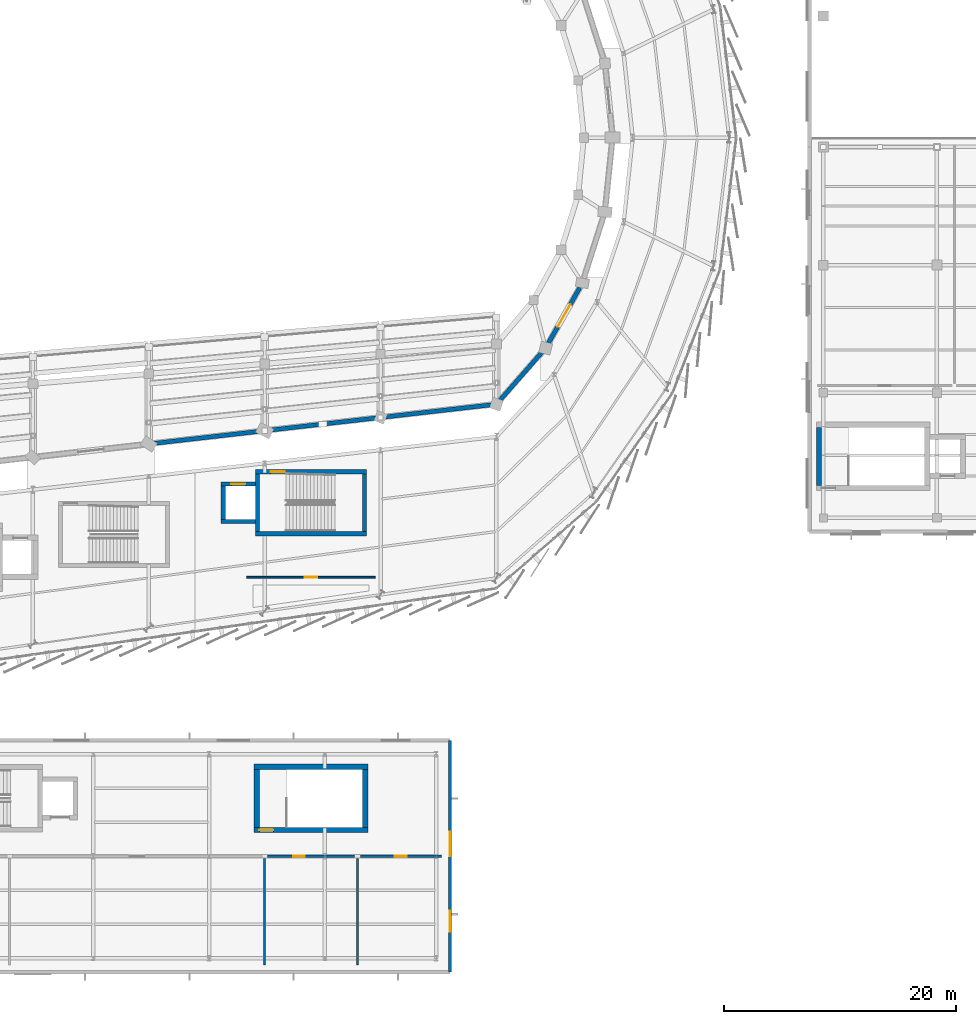
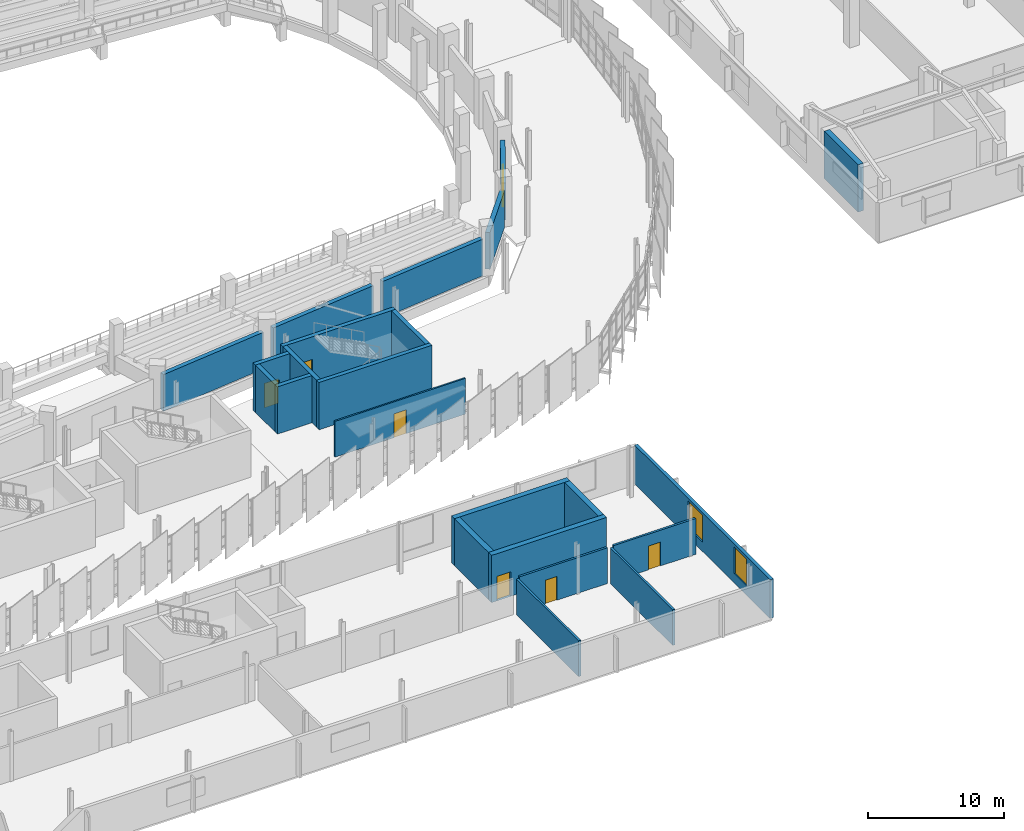
# One storey, part 103 of 120: 23 walls, 7 doors, 2 windows, 9 openings.
"""IFC4 building model written with IfcOpenShell, lengths in metres."""

import ifcopenshell
import ifcopenshell.guid

model = None  # the IFC model being written
_history = None  # IfcOwnerHistory: only IFC2X3 demands one
_inside = {}  # id of a spatial element -> (the spatial element, [elements in it])
_under = {}  # id of a project, library or spatial element -> (it, [spatial elements below it])
_declared = {}  # id of a project -> (the project, [libraries it declares])
_typed = {}  # id of a type object -> (the type object, [elements of that type])
_made_of = {}  # id of a material, layer set ... -> (it, [elements and type objects made of it])


def new_model(schema):
    """Start an empty IFC model of exactly this schema.

    Asked for "IFC4X3", IfcOpenShell would pick the latest addendum, in which some entities
    have other attributes; the version numbers below select the first issue.
    IFC2X3 requires an IfcOwnerHistory on every rooted entity: one is made here for all.
    """
    global model, _history
    if schema == "IFC4X3":
        model = ifcopenshell.file(schema_version=(4, 3, 0, 0))
    else:
        model = ifcopenshell.file(schema=schema)
    _inside.clear()
    _under.clear()
    _declared.clear()
    _typed.clear()
    _made_of.clear()
    _history = None
    if model.schema == "IFC2X3":
        org = make("IfcOrganization", Name="unknown")
        user = make(
            "IfcPersonAndOrganization",
            ThePerson=make("IfcPerson", FamilyName="unknown"),
            TheOrganization=org,
        )
        app = make(
            "IfcApplication",
            ApplicationDeveloper=org,
            Version="unknown",
            ApplicationFullName="unknown",
            ApplicationIdentifier="unknown",
        )
        _history = make(
            "IfcOwnerHistory",
            OwningUser=user,
            OwningApplication=app,
            ChangeAction="ADDED",
            CreationDate=0,
        )
    return model


def make(cls, **values):
    """One entity of the class cls with the attributes given. An attribute that is None is left unset."""
    return model.create_entity(
        cls, **{name: value for name, value in values.items() if value is not None}
    )


def rooted(cls, **values):
    """An entity with a GlobalId (a new one), such as an element, a storey or a relation."""
    return make(cls, GlobalId=ifcopenshell.guid.new(), OwnerHistory=_history, **values)


def si_unit(unit_type, name, prefix=None):
    """IfcSIUnit, for example si_unit("LENGTHUNIT", "METRE", prefix="MILLI")."""
    return make("IfcSIUnit", UnitType=unit_type, Prefix=prefix, Name=name)


def assignment(units):
    """IfcUnitAssignment: the units of a project."""
    return None if units is None else make("IfcUnitAssignment", Units=units)


def point(xyz):
    """IfcCartesianPoint."""
    return None if xyz is None else make("IfcCartesianPoint", Coordinates=xyz)


def direction(xyz):
    """IfcDirection."""
    return None if xyz is None else make("IfcDirection", DirectionRatios=xyz)


def frame(location, z_axis=None, x_axis=None):
    """IfcAxis2Placement3D, a coordinate frame: its origin and axes. An axis left out is left unset."""
    return make(
        "IfcAxis2Placement3D",
        Location=point(location),
        Axis=direction(z_axis),
        RefDirection=direction(x_axis),
    )


def frame_2d(location, x_axis=None):
    """IfcAxis2Placement2D, a coordinate frame in the plane: its origin and x axis."""
    return make(
        "IfcAxis2Placement2D", Location=point(location), RefDirection=direction(x_axis)
    )


def origin():
    """The frame at (0, 0, 0) with its axes left unset."""
    return frame((0.0, 0.0, 0.0))


def place(relative_to, where):
    """IfcLocalPlacement: puts the frame where relative to a parent placement (None: the world)."""
    return make(
        "IfcLocalPlacement", PlacementRelTo=relative_to, RelativePlacement=where
    )


def context(
    kind, dimensions, precision=None, world=None, true_north=None, identifier=None
):
    """IfcGeometricRepresentationContext, for example the 3D "Model" context."""
    return make(
        "IfcGeometricRepresentationContext",
        ContextIdentifier=identifier,
        ContextType=kind,
        CoordinateSpaceDimension=dimensions,
        Precision=precision,
        WorldCoordinateSystem=world,
        TrueNorth=true_north,
    )


def subcontext(parent, identifier, kind, view, scale=None):
    """IfcGeometricRepresentationSubContext, for example "Body" below "Model"."""
    return make(
        "IfcGeometricRepresentationSubContext",
        ContextIdentifier=identifier,
        ContextType=kind,
        ParentContext=parent,
        TargetScale=scale,
        TargetView=view,
    )


def project(units=None, contexts=None):
    """IfcProject with its units and contexts."""
    return rooted(
        "IfcProject",
        Name="project",
        RepresentationContexts=contexts,
        UnitsInContext=assignment(units),
    )


def spatial(cls, under=None, at=None, **own):
    """A site, building, storey or space (cls), placed at a placement, below another one or the project."""
    s = rooted(cls, ObjectPlacement=at, **own)
    if under is not None:
        _under.setdefault(under.id(), (under, []))[1].append(s)
    return s


def profile(cls, at=None, kind="AREA", **sizes):
    """A parametric profile (cls). Its sizes go by their IFC names, for example OverallWidth=200.0."""
    return make(cls, ProfileType=kind, Position=at, **sizes)


def rectangle(**sizes):
    """IfcRectangleProfileDef."""
    return profile("IfcRectangleProfileDef", **sizes)


def extrude(swept, where, along, depth):
    """IfcExtrudedAreaSolid: the profile swept, set in the frame where, extruded along a direction by depth."""
    return make(
        "IfcExtrudedAreaSolid",
        SweptArea=swept,
        Position=where,
        ExtrudedDirection=direction(along),
        Depth=depth,
    )


def shape(context_of_items, identifier, shape_type, items):
    """IfcShapeRepresentation: the items that make up one representation, for example the "Body"."""
    return make(
        "IfcShapeRepresentation",
        ContextOfItems=context_of_items,
        RepresentationIdentifier=identifier,
        RepresentationType=shape_type,
        Items=items,
    )


def material(Name=None, Category=None):
    """IfcMaterial."""
    return make("IfcMaterial", Name=Name, Category=Category)


def layer(
    of_material, thickness, ventilated=None, Name=None, Category=None, Priority=None
):
    """IfcMaterialLayer: one layer of a wall or slab, of a material (None: an air gap)."""
    return make(
        "IfcMaterialLayer",
        Material=of_material,
        LayerThickness=thickness,
        IsVentilated=ventilated,
        Name=Name,
        Category=Category,
        Priority=Priority,
    )


def layer_set(layers, Name=None):
    """IfcMaterialLayerSet."""
    return make("IfcMaterialLayerSet", MaterialLayers=layers, LayerSetName=Name)


def made_of(thing, what):
    """Note that an element or type object is made of a material, layer set ...; save() writes the relation."""
    if what is not None:
        _made_of.setdefault(what.id(), (what, []))[1].append(thing)
    return thing


def type_object(cls, material=None, **own):
    """A type object (cls), such as IfcWallType, which elements share."""
    return made_of(rooted(cls, **own), material)


def element(
    cls,
    number,
    at=None,
    inside=None,
    cuts=None,
    type_object=None,
    material=None,
    context=None,
    identifier="Body",
    shape_type=None,
    held_by="IfcProductDefinitionShape",
    body=None,
    shapes=None,
    **own,
):
    """One element of the class cls, such as IfcWall. Its Tag is "e" and its number.

    at: its placement. inside: the storey or other place that contains it. cuts: it is an
    opening in that element (IfcRelVoidsElement). A single representation is given by context,
    identifier, shape_type and body (its items); several are given by shapes. held_by: the class
    of the entity that holds the representations. save() writes the other relations.
    """
    e = rooted(cls, Tag="e%d" % number, ObjectPlacement=at, **own)
    if body is not None:
        shapes = [shape(context, identifier, shape_type, body)]
    if shapes is not None:
        e.Representation = make(held_by, Representations=shapes)
    if inside is not None:
        _inside.setdefault(inside.id(), (inside, []))[1].append(e)
    if cuts is not None:
        rooted(
            "IfcRelVoidsElement", RelatingBuildingElement=cuts, RelatedOpeningElement=e
        )
    if type_object is not None:
        _typed.setdefault(type_object.id(), (type_object, []))[1].append(e)
    return made_of(e, material)


def fill(opening, filler):
    """IfcRelFillsElement: the door or window that sits in an opening."""
    return rooted(
        "IfcRelFillsElement",
        RelatingOpeningElement=opening,
        RelatedBuildingElement=filler,
    )


def aggregate(whole, parts):
    """IfcRelAggregates: a whole, such as a stair, and the parts it consists of."""
    return rooted("IfcRelAggregates", RelatingObject=whole, RelatedObjects=parts)


def save(model, path):
    """Write the relations noted so far, then the file.

    IfcRelAggregates (storeys below a building ...), IfcRelContainedInSpatialStructure (elements
    in a storey), IfcRelDefinesByType, IfcRelAssociatesMaterial and IfcRelDeclares: one each for
    every whole, place, type object, material and project.
    """
    for whole, parts in _under.values():
        aggregate(whole, parts)
    for where, things in _inside.values():
        rooted(
            "IfcRelContainedInSpatialStructure",
            RelatedElements=things,
            RelatingStructure=where,
        )
    for kind, things in _typed.values():
        rooted("IfcRelDefinesByType", RelatedObjects=things, RelatingType=kind)
    for what, things in _made_of.values():
        rooted("IfcRelAssociatesMaterial", RelatedObjects=things, RelatingMaterial=what)
    for by, libraries in _declared.values():
        rooted("IfcRelDeclares", RelatingContext=by, RelatedDefinitions=libraries)
    model.write(path)


model = new_model("IFC4")

# Units and contexts
model_context = context("Model", 3, precision=1e-05, world=origin(), true_north=direction((0.0, 1.0)))
body_context = subcontext(model_context, "Body", "Model", "MODEL_VIEW")
ifc_project = project(units=[si_unit("LENGTHUNIT", "METRE"), si_unit("AREAUNIT", "SQUARE_METRE"), si_unit("VOLUMEUNIT", "CUBIC_METRE"), si_unit("PLANEANGLEUNIT", "RADIAN"), si_unit("MASSUNIT", "GRAM", prefix="KILO")], contexts=[model_context])

# Site, building, storey
site_placement = place(None, origin())
site = spatial("IfcSite", under=ifc_project, at=site_placement, CompositionType="ELEMENT")
building_placement = place(site_placement, origin())
building = spatial("IfcBuilding", under=site, at=building_placement, Name="Sohan Crest Arena", CompositionType="ELEMENT")
storey_placement = place(building_placement, frame((0.0, 0.0, 13.5)))
storey = spatial("IfcBuildingStorey", under=building, at=storey_placement, Name="L03", CompositionType="ELEMENT", Elevation=13.5)

# Wall, openings, windows
ifc_material_1 = material(Name="Clinker brick and ceramic mosaic envelope wall", Category="masonry")
ifc_layer_1 = layer(ifc_material_1, 0.280029296875, Name="Clinker brick and ceramic mosaic envelope wall")
ifc_layer_set_1 = layer_set([ifc_layer_1], Name="Clinker brick and ceramic mosaic envelope wall")
wall_type_1 = type_object("IfcWallType", Name="WAL-EW02", PredefinedType="SOLIDWALL", material=ifc_layer_set_1)
wall_1_placement = place(storey_placement, frame((164.0, 6.0, 0.0), z_axis=(0.0, 0.0, 1.0), x_axis=(0.0, 1.0, 0.0)))
wall_1 = element("IfcWall", 1, at=wall_1_placement, inside=storey, type_object=wall_type_1, Name="External wall EW-139", PredefinedType="SOLIDWALL", context=body_context, shape_type="SweptSolid", body=[
    extrude(rectangle(XDim=20.0, YDim=0.280029296875, at=frame_2d((10.0, 0.0))), origin(), (0.0, 0.0, 1.0), 3.5),
])
opening_1_placement = place(wall_1_placement, frame((3.5, 0.0, 0.85009765625)))
opening_1 = element("IfcOpeningElement", 2, at=opening_1_placement, cuts=wall_1, Name="Opening W-065", PredefinedType="OPENING", context=body_context, shape_type="SweptSolid", body=[
    extrude(rectangle(XDim=1.800048828125, YDim=2.39990234375, at=frame_2d((0.89990234375, 1.199951171875))), frame((0.0, 0.14990234375, 0.0), z_axis=(0.0, -1.0, 0.0), x_axis=(1.0, 0.0, 0.0)), (0.0, 0.0, 1.0), 0.300048828125),
])
opening_2_placement = place(wall_1_placement, frame((10.0, 0.0, 0.85009765625)))
opening_2 = element("IfcOpeningElement", 3, at=opening_2_placement, cuts=wall_1, Name="Opening W-066", PredefinedType="OPENING", context=body_context, shape_type="SweptSolid", body=[
    extrude(rectangle(XDim=2.10009765625, YDim=2.39990234375, at=frame_2d((1.050048828125, 1.199951171875))), frame((0.0, 0.14990234375, 0.0), z_axis=(0.0, -1.0, 0.0), x_axis=(1.0, 0.0, 0.0)), (0.0, 0.0, 1.0), 0.300048828125),
])
ifc_material_2 = material(Name="Low-E double-glazed insulated glass", Category="glass")
window_type_1 = type_object("IfcWindowType", Name="WIN-W01", PartitioningType="SINGLE_PANEL", PredefinedType="WINDOW", material=ifc_material_2)
window_1_placement = place(opening_1_placement, origin())
window_1 = element("IfcWindow", 4, at=window_1_placement, inside=storey, type_object=window_type_1, Name="Catalan arched wing window W-065", OverallHeight=2.39990234375, OverallWidth=1.800048828125, PartitioningType="SINGLE_PANEL", PredefinedType="WINDOW", context=body_context, shape_type="SweptSolid", body=[
    extrude(rectangle(XDim=1.800048828125, YDim=2.39990234375, at=frame_2d((0.89990234375, 1.199951171875))), frame((0.0, 0.030029296875, 0.0), z_axis=(0.0, -1.0, 0.0), x_axis=(1.0, 0.0, 0.0)), (0.0, 0.0, 1.0), 0.06005859375),
])
fill(opening_1, window_1)
window_type_2 = type_object("IfcWindowType", Name="WIN-W02", PartitioningType="SINGLE_PANEL", PredefinedType="WINDOW", material=ifc_material_2)
window_2_placement = place(opening_2_placement, origin())
window_2 = element("IfcWindow", 5, at=window_2_placement, inside=storey, type_object=window_type_2, Name="Catalan arched wing window W-066", OverallHeight=2.39990234375, OverallWidth=2.10009765625, PartitioningType="SINGLE_PANEL", PredefinedType="WINDOW", context=body_context, shape_type="SweptSolid", body=[
    extrude(rectangle(XDim=2.10009765625, YDim=2.39990234375, at=frame_2d((1.050048828125, 1.199951171875))), frame((0.0, 0.030029296875, 0.0), z_axis=(0.0, -1.0, 0.0), x_axis=(1.0, 0.0, 0.0)), (0.0, 0.0, 1.0), 0.06005859375),
])
fill(opening_2, window_2)

# Walls
ifc_material_3 = material(Name="Acoustic insulated bowl drum enclosure wall", Category="masonry")
ifc_layer_2 = layer(ifc_material_3, 0.3701171875, Name="Acoustic insulated bowl drum enclosure wall")
ifc_layer_set_2 = layer_set([ifc_layer_2], Name="Acoustic insulated bowl drum enclosure wall")
wall_type_2 = type_object("IfcWallType", Name="WAL-EW05", PredefinedType="SOLIDWALL", material=ifc_layer_set_2)
for number, where, z_axis, x_axis, name in (
    (6, (138.43701171875, 51.62109375, 0.0), (0.0, 0.0, 1.0), (0.993532672656, 0.113546591161, 0.0), "Acoustic bowl drum wall BW-L03-17"),
    (7, (148.43701171875, 52.763916015625, 0.0), (0.0, 0.0, 1.0), (0.993532672656, 0.113546591161, 0.0), "Acoustic bowl drum wall BW-L03-18"),
    (8, (158.43701171875, 53.906982421875, 0.0), (0.0, 0.0, 1.0), (0.993532672656, 0.113546591161, 0.0), "Acoustic bowl drum wall BW-L03-19"),
):
    element("IfcWall", number, at=place(storey_placement, frame(where, z_axis=z_axis, x_axis=x_axis)), inside=storey, type_object=wall_type_2, Name=name, PredefinedType="SOLIDWALL", context=body_context, shape_type="SweptSolid", body=[
        extrude(rectangle(XDim=9.185302734375, YDim=0.3701171875, at=frame_2d((4.5927734375, 0.0))), origin(), (0.0, 0.0, 1.0), 3.300048828125),
    ])
wall_2_placement = place(storey_placement, frame((168.2900390625, 55.3310546875, 0.0), z_axis=(0.0, 0.0, 1.0), x_axis=(0.658706624818, 0.752399881991, 0.0)))
element("IfcWall", 9, at=wall_2_placement, inside=storey, type_object=wall_type_2, Name="Acoustic bowl drum wall BW-L03-20", PredefinedType="SOLIDWALL", context=body_context, shape_type="SweptSolid", body=[
    extrude(rectangle(XDim=5.560546875, YDim=0.3701171875, at=frame_2d((2.7802734375, 0.0))), origin(), (0.0, 0.0, 1.0), 3.300048828125),
])

# Wall, opening, door
wall_3_placement = place(storey_placement, frame((172.458984375, 60.22900390625, 0.0), z_axis=(0.0, 0.0, 1.0), x_axis=(0.491617455844, 0.870811275254, 0.0)))
wall_3 = element("IfcWall", 10, at=wall_3_placement, inside=storey, type_object=wall_type_2, Name="Acoustic bowl drum wall BW-L03-21", PredefinedType="SOLIDWALL", context=body_context, shape_type="SweptSolid", body=[
    extrude(rectangle(XDim=5.5615234375, YDim=0.3701171875, at=frame_2d((2.78076171875, 0.0))), origin(), (0.0, 0.0, 1.0), 3.300048828125),
])
opening_3_placement = place(wall_3_placement, frame((1.680908203125, 0.0, 0.0)))
opening_3 = element("IfcOpeningElement", 11, at=opening_3_placement, cuts=wall_3, Name="Opening VD-L03-21", PredefinedType="OPENING", context=body_context, shape_type="SweptSolid", body=[
    extrude(rectangle(XDim=2.199951171875, YDim=2.300048828125, at=frame_2d((1.10009765625, 1.14990234375))), frame((0.0, 0.195068359375, 0.0), z_axis=(0.0, -1.0, 0.0), x_axis=(1.0, 0.0, 0.0)), (0.0, 0.0, 1.0), 0.39013671875),
])
ifc_material_4 = material(Name="Fire-rated steel double escape door", Category="steel")
door_type_1 = type_object("IfcDoorType", Name="DR-FD01", OperationType="DOUBLE_DOOR_SINGLE_SWING", PredefinedType="DOOR", material=ifc_material_4)
door_1_placement = place(opening_3_placement, origin())
door_1 = element("IfcDoor", 12, at=door_1_placement, inside=storey, type_object=door_type_1, Name="Bowl vomitory portal fire door VD-L03-21", OperationType="DOUBLE_DOOR_SINGLE_SWING", OverallHeight=2.300048828125, OverallWidth=2.199951171875, PredefinedType="DOOR", context=body_context, shape_type="SweptSolid", body=[
    extrude(rectangle(XDim=2.199951171875, YDim=2.300048828125, at=frame_2d((1.10009765625, 1.14990234375))), frame((0.0, 0.02490234375, 0.0), z_axis=(0.0, -1.0, 0.0), x_axis=(1.0, 0.0, 0.0)), (0.0, 0.0, 1.0), 0.050048828125),
])
fill(opening_3, door_1)

ifc_material_5 = material(Name="Suite acoustic stud partition", Category="masonry")
ifc_layer_3 = layer(ifc_material_5, 0.135009765625, Name="Suite acoustic stud partition")
ifc_layer_set_3 = layer_set([ifc_layer_3], Name="Suite acoustic stud partition")
wall_type_3 = type_object("IfcWallType", Name="WAL-PW02", PredefinedType="PARTITIONING", material=ifc_layer_set_3)
wall_4_placement = place(storey_placement, frame((146.449951171875, 40.074951171875, 0.0), z_axis=(0.0, 0.0, 1.0), x_axis=(1.0, 0.0, 0.0)))
wall_4 = element("IfcWall", 13, at=wall_4_placement, inside=storey, type_object=wall_type_3, Name="Interior partition wall PW-0884", PredefinedType="PARTITIONING", context=body_context, shape_type="SweptSolid", body=[
    extrude(rectangle(XDim=11.10009765625, YDim=0.135009765625, at=frame_2d((5.550048828125, 0.0))), origin(), (0.0, 0.0, 1.0), 3.219970703125),
])
opening_4_placement = place(wall_4_placement, frame((5.02490234375, 0.0, 0.0)))
opening_4 = element("IfcOpeningElement", 14, at=opening_4_placement, cuts=wall_4, Name="Opening RM-0258", PredefinedType="OPENING", context=body_context, shape_type="SweptSolid", body=[
    extrude(rectangle(XDim=1.050048828125, YDim=2.14990234375, at=frame_2d((0.52490234375, 1.074951171875))), frame((0.0, 0.077392578125, 0.0), z_axis=(0.0, -1.0, 0.0), x_axis=(1.0, 0.0, 0.0)), (0.0, 0.0, 1.0), 0.155029296875),
])
ifc_material_6 = material(Name="Fire-rated acoustic suite entrance door", Category="wood")
door_type_2 = type_object("IfcDoorType", Name="DR-FD05", OperationType="NOTDEFINED", PredefinedType="DOOR", material=ifc_material_6)
door_2_placement = place(opening_4_placement, origin())
door_2 = element("IfcDoor", 15, at=door_2_placement, inside=storey, type_object=door_type_2, Name="Hospitality Suite door RM-0258", OperationType="SINGLE_SWING_RIGHT", OverallHeight=2.14990234375, OverallWidth=1.050048828125, PredefinedType="DOOR", context=body_context, shape_type="SweptSolid", body=[
    extrude(rectangle(XDim=1.050048828125, YDim=2.14990234375, at=frame_2d((0.52490234375, 1.074951171875))), frame((0.0, 0.02490234375, 0.0), z_axis=(0.0, -1.0, 0.0), x_axis=(1.0, 0.0, 0.0)), (0.0, 0.0, 1.0), 0.050048828125),
])
fill(opening_4, door_2)

# Wall
ifc_material_7 = material(Name="Back-of-house masonry room partition", Category="masonry")
ifc_layer_4 = layer(ifc_material_7, 0.179931640625, Name="Back-of-house masonry room partition")
ifc_layer_set_4 = layer_set([ifc_layer_4], Name="Back-of-house masonry room partition")
wall_type_4 = type_object("IfcWallType", Name="WAL-PW05", PredefinedType="PARTITIONING", material=ifc_layer_set_4)
wall_5_placement = place(storey_placement, frame((148.0, 6.60009765625, 0.0), z_axis=(0.0, 0.0, 1.0), x_axis=(0.0, 1.0, 0.0)))
element("IfcWall", 16, at=wall_5_placement, inside=storey, type_object=wall_type_4, Name="Interior partition wall PW-0935", PredefinedType="PARTITIONING", context=body_context, shape_type="SweptSolid", body=[
    extrude(rectangle(XDim=9.199951171875, YDim=0.179931640625, at=frame_2d((4.60009765625, 0.0))), origin(), (0.0, 0.0, 1.0), 3.219970703125),
])

# Wall, opening, door
wall_6_placement = place(storey_placement, frame((148.25, 16.0, 0.0), z_axis=(0.0, 0.0, 1.0), x_axis=(1.0, 0.0, 0.0)))
wall_6 = element("IfcWall", 17, at=wall_6_placement, inside=storey, type_object=wall_type_4, Name="Interior partition wall PW-0936", PredefinedType="PARTITIONING", context=body_context, shape_type="SweptSolid", body=[
    extrude(rectangle(XDim=7.5, YDim=0.179931640625, at=frame_2d((3.75, 0.0))), origin(), (0.0, 0.0, 1.0), 3.219970703125),
])
opening_5_placement = place(wall_6_placement, frame((2.2099609375, 0.0, 0.0)))
opening_5 = element("IfcOpeningElement", 18, at=opening_5_placement, cuts=wall_6, Name="Opening V5D-0286", PredefinedType="OPENING", context=body_context, shape_type="SweptSolid", body=[
    extrude(rectangle(XDim=0.97998046875, YDim=2.14990234375, at=frame_2d((0.489990234375, 1.074951171875))), frame((0.0, 0.099853515625, 0.0), z_axis=(0.0, -1.0, 0.0), x_axis=(1.0, 0.0, 0.0)), (0.0, 0.0, 1.0), 0.199951171875),
])
ifc_material_8 = material(Name="Fire-rated plant and store room door", Category="wood")
door_type_3 = type_object("IfcDoorType", Name="DR-FD06", OperationType="NOTDEFINED", PredefinedType="DOOR", material=ifc_material_8)
door_3_placement = place(opening_5_placement, origin())
door_3 = element("IfcDoor", 19, at=door_3_placement, inside=storey, type_object=door_type_3, Name="Concessions Dry Store door V5D-0286", OperationType="SINGLE_SWING_LEFT", OverallHeight=2.14990234375, OverallWidth=0.97998046875, PredefinedType="DOOR", context=body_context, shape_type="SweptSolid", body=[
    extrude(rectangle(XDim=0.97998046875, YDim=2.14990234375, at=frame_2d((0.489990234375, 1.074951171875))), frame((0.0, 0.02490234375, 0.0), z_axis=(0.0, -1.0, 0.0), x_axis=(1.0, 0.0, 0.0)), (0.0, 0.0, 1.0), 0.050048828125),
])
fill(opening_5, door_3)

# Wall
wall_7_placement = place(storey_placement, frame((156.0, 6.60009765625, 0.0), z_axis=(0.0, 0.0, 1.0), x_axis=(0.0, 1.0, 0.0)))
element("IfcWall", 20, at=wall_7_placement, inside=storey, type_object=wall_type_4, Name="Interior partition wall PW-0937", PredefinedType="PARTITIONING", context=body_context, shape_type="SweptSolid", body=[
    extrude(rectangle(XDim=9.199951171875, YDim=0.179931640625, at=frame_2d((4.60009765625, 0.0))), origin(), (0.0, 0.0, 1.0), 3.219970703125),
])

# Wall, opening, door
wall_8_placement = place(storey_placement, frame((156.25, 16.0, 0.0), z_axis=(0.0, 0.0, 1.0), x_axis=(1.0, 0.0, 0.0)))
wall_8 = element("IfcWall", 21, at=wall_8_placement, inside=storey, type_object=wall_type_4, Name="Interior partition wall PW-0938", PredefinedType="PARTITIONING", context=body_context, shape_type="SweptSolid", body=[
    extrude(rectangle(XDim=7.0, YDim=0.179931640625, at=frame_2d((3.5, 0.0))), origin(), (0.0, 0.0, 1.0), 3.219970703125),
])
opening_6_placement = place(wall_8_placement, frame((2.989990234375, 0.0, 0.0)))
opening_6 = element("IfcOpeningElement", 22, at=opening_6_placement, cuts=wall_8, Name="Opening V5D-0287", PredefinedType="OPENING", context=body_context, shape_type="SweptSolid", body=[
    extrude(rectangle(XDim=1.02001953125, YDim=2.14990234375, at=frame_2d((0.510009765625, 1.074951171875))), frame((0.0, 0.099853515625, 0.0), z_axis=(0.0, -1.0, 0.0), x_axis=(1.0, 0.0, 0.0)), (0.0, 0.0, 1.0), 0.199951171875),
])
ifc_material_9 = material(Name="Accessible toilet and dressing room door", Category="wood")
door_type_4 = type_object("IfcDoorType", Name="DR-ID03", OperationType="NOTDEFINED", PredefinedType="DOOR", material=ifc_material_9)
door_4_placement = place(opening_6_placement, origin())
door_4 = element("IfcDoor", 23, at=door_4_placement, inside=storey, type_object=door_type_4, Name="Staff Accessible WC L03 door V5D-0287", OperationType="SINGLE_SWING_RIGHT", OverallHeight=2.14990234375, OverallWidth=1.02001953125, PredefinedType="DOOR", context=body_context, shape_type="SweptSolid", body=[
    extrude(rectangle(XDim=1.02001953125, YDim=2.14990234375, at=frame_2d((0.510009765625, 1.074951171875))), frame((0.0, 0.02490234375, 0.0), z_axis=(0.0, -1.0, 0.0), x_axis=(1.0, 0.0, 0.0)), (0.0, 0.0, 1.0), 0.050048828125),
])
fill(opening_6, door_4)

# Walls
ifc_material_10 = material(Name="Concrete C40/50", Category="concrete")
ifc_layer_5 = layer(ifc_material_10, 0.35009765625, Name="Concrete C40/50")
ifc_layer_set_5 = layer_set([ifc_layer_5], Name="Concrete C40/50")
wall_type_5 = type_object("IfcWallType", Name="WAL-SW02", PredefinedType="SHEAR", material=ifc_layer_set_5)
for number, where, z_axis, x_axis, name in (
    (24, (147.375, 44.0, 0.0), (0.0, 0.0, 1.0), (0.0, 1.0, 0.0), "Core shear wall SW-0434"),
    (25, (156.625, 44.0, 0.0), (0.0, 0.0, 1.0), (0.0, 1.0, 0.0), "Core shear wall SW-0435"),
):
    element("IfcWall", number, at=place(storey_placement, frame(where, z_axis=z_axis, x_axis=x_axis)), inside=storey, type_object=wall_type_5, Name=name, PredefinedType="SHEAR", context=body_context, shape_type="SweptSolid", body=[
        extrude(rectangle(XDim=5.0, YDim=0.35009765625, at=frame_2d((2.5, 0.0))), origin(), (0.0, 0.0, 1.0), 4.25),
    ])
wall_9_placement = place(storey_placement, frame((147.199951171875, 43.824951171875, 0.0), z_axis=(0.0, 0.0, 1.0), x_axis=(1.0, 0.0, 0.0)))
element("IfcWall", 26, at=wall_9_placement, inside=storey, type_object=wall_type_5, Name="Core shear wall SW-0436", PredefinedType="SHEAR", context=body_context, shape_type="SweptSolid", body=[
    extrude(rectangle(XDim=9.60009765625, YDim=0.35009765625, at=frame_2d((4.800048828125, 0.0))), origin(), (0.0, 0.0, 1.0), 4.25),
])

# Wall, opening, door
wall_10_placement = place(storey_placement, frame((147.199951171875, 49.175048828125, 0.0), z_axis=(0.0, 0.0, 1.0), x_axis=(1.0, 0.0, 0.0)))
wall_10 = element("IfcWall", 27, at=wall_10_placement, inside=storey, type_object=wall_type_5, Name="Core shear wall SW-0437", PredefinedType="SHEAR", context=body_context, shape_type="SweptSolid", body=[
    extrude(rectangle(XDim=9.60009765625, YDim=0.35009765625, at=frame_2d((4.800048828125, 0.0))), origin(), (0.0, 0.0, 1.0), 4.25),
])
opening_7_placement = place(wall_10_placement, frame((1.320068359375, 0.0, 0.0)))
opening_7 = element("IfcOpeningElement", 28, at=opening_7_placement, cuts=wall_10, Name="Opening SD-0121", PredefinedType="OPENING", context=body_context, shape_type="SweptSolid", body=[
    extrude(rectangle(XDim=1.199951171875, YDim=2.199951171875, at=frame_2d((0.60009765625, 1.10009765625))), frame((0.0, 0.18505859375, 0.0), z_axis=(0.0, -1.0, 0.0), x_axis=(1.0, 0.0, 0.0)), (0.0, 0.0, 1.0), 0.3701171875),
])
ifc_material_11 = material(Name="Fire-rated steel stair and lobby door", Category="steel")
door_type_5 = type_object("IfcDoorType", Name="DR-FD04", OperationType="NOTDEFINED", PredefinedType="DOOR", material=ifc_material_11)
door_5_placement = place(opening_7_placement, origin())
door_5 = element("IfcDoor", 29, at=door_5_placement, inside=storey, type_object=door_type_5, Name="Protected stair door SD-0121", OperationType="SINGLE_SWING_RIGHT", OverallHeight=2.199951171875, OverallWidth=1.199951171875, PredefinedType="DOOR", context=body_context, shape_type="SweptSolid", body=[
    extrude(rectangle(XDim=1.199951171875, YDim=2.199951171875, at=frame_2d((0.60009765625, 1.10009765625))), frame((0.0, 0.02490234375, 0.0), z_axis=(0.0, -1.0, 0.0), x_axis=(1.0, 0.0, 0.0)), (0.0, 0.0, 1.0), 0.050048828125),
])
fill(opening_7, door_5)

# Walls
wall_11_placement = place(storey_placement, frame((144.425048828125, 45.050048828125, 0.0), z_axis=(0.0, 0.0, 1.0), x_axis=(0.0, 1.0, 0.0)))
element("IfcWall", 30, at=wall_11_placement, inside=storey, type_object=wall_type_5, Name="Core shear wall SW-0438", PredefinedType="SHEAR", context=body_context, shape_type="SweptSolid", body=[
    extrude(rectangle(XDim=2.89990234375, YDim=0.35009765625, at=frame_2d((1.449951171875, 0.0))), origin(), (0.0, 0.0, 1.0), 4.25),
])
wall_12_placement = place(storey_placement, frame((144.25, 44.875, 0.0), z_axis=(0.0, 0.0, 1.0), x_axis=(1.0, 0.0, 0.0)))
element("IfcWall", 31, at=wall_12_placement, inside=storey, type_object=wall_type_5, Name="Core shear wall SW-0439", PredefinedType="SHEAR", context=body_context, shape_type="SweptSolid", body=[
    extrude(rectangle(XDim=2.949951171875, YDim=0.35009765625, at=frame_2d((1.47509765625, 0.0))), origin(), (0.0, 0.0, 1.0), 4.25),
])

# Wall, opening, door
wall_13_placement = place(storey_placement, frame((144.25, 48.125, 0.0), z_axis=(0.0, 0.0, 1.0), x_axis=(1.0, 0.0, 0.0)))
wall_13 = element("IfcWall", 32, at=wall_13_placement, inside=storey, type_object=wall_type_5, Name="Core shear wall SW-0440", PredefinedType="SHEAR", context=body_context, shape_type="SweptSolid", body=[
    extrude(rectangle(XDim=2.949951171875, YDim=0.35009765625, at=frame_2d((1.47509765625, 0.0))), origin(), (0.0, 0.0, 1.0), 4.25),
])
opening_8_placement = place(wall_13_placement, frame((0.875, 0.0, 0.0)))
opening_8 = element("IfcOpeningElement", 33, at=opening_8_placement, cuts=wall_13, Name="Opening LD-LP07-L03", PredefinedType="OPENING", context=body_context, shape_type="SweptSolid", body=[
    extrude(rectangle(XDim=1.199951171875, YDim=2.199951171875, at=frame_2d((0.60009765625, 1.10009765625))), frame((0.0, 0.18505859375, 0.0), z_axis=(0.0, -1.0, 0.0), x_axis=(1.0, 0.0, 0.0)), (0.0, 0.0, 1.0), 0.3701171875),
])
ifc_material_12 = material(Name="Stainless steel passenger lift landing door", Category="steel")
door_type_6 = type_object("IfcDoorType", Name="DR-LD02", OperationType="SLIDING_TO_LEFT", PredefinedType="DOOR", material=ifc_material_12)
door_6_placement = place(opening_8_placement, origin())
door_6 = element("IfcDoor", 34, at=door_6_placement, inside=storey, type_object=door_type_6, Name="Sliding lift landing door LD-LP07-L03", OperationType="SLIDING_TO_LEFT", OverallHeight=2.199951171875, OverallWidth=1.199951171875, PredefinedType="DOOR", context=body_context, shape_type="SweptSolid", body=[
    extrude(rectangle(XDim=1.199951171875, YDim=2.199951171875, at=frame_2d((0.60009765625, 1.10009765625))), frame((0.0, 0.02490234375, 0.0), z_axis=(0.0, -1.0, 0.0), x_axis=(1.0, 0.0, 0.0)), (0.0, 0.0, 1.0), 0.050048828125),
])
fill(opening_8, door_6)

# Walls
ifc_layer_6 = layer(ifc_material_10, 0.449951171875, Name="Concrete C40/50")
ifc_layer_set_6 = layer_set([ifc_layer_6], Name="Concrete C40/50")
wall_type_6 = type_object("IfcWallType", Name="WAL-SW04", PredefinedType="SHEAR", material=ifc_layer_set_6)
for number, where, z_axis, x_axis, name in (
    (35, (147.324951171875, 18.5, 0.0), (0.0, 0.0, 1.0), (0.0, 1.0, 0.0), "Core shear wall SW-0503"),
    (36, (156.675048828125, 18.5, 0.0), (0.0, 0.0, 1.0), (0.0, 1.0, 0.0), "Core shear wall SW-0504"),
):
    element("IfcWall", number, at=place(storey_placement, frame(where, z_axis=z_axis, x_axis=x_axis)), inside=storey, type_object=wall_type_6, Name=name, PredefinedType="SHEAR", context=body_context, shape_type="SweptSolid", body=[
        extrude(rectangle(XDim=5.0, YDim=0.449951171875, at=frame_2d((2.5, 0.0))), origin(), (0.0, 0.0, 1.0), 4.25),
    ])

# Wall, opening, door
wall_14_placement = place(storey_placement, frame((147.10009765625, 18.27490234375, 0.0), z_axis=(0.0, 0.0, 1.0), x_axis=(1.0, 0.0, 0.0)))
wall_14 = element("IfcWall", 37, at=wall_14_placement, inside=storey, type_object=wall_type_6, Name="Core shear wall SW-0505", PredefinedType="SHEAR", context=body_context, shape_type="SweptSolid", body=[
    extrude(rectangle(XDim=9.7998046875, YDim=0.449951171875, at=frame_2d((4.89990234375, 0.0))), origin(), (0.0, 0.0, 1.0), 4.25),
])
opening_9_placement = place(wall_14_placement, frame((0.449951171875, 0.0, 0.0)))
opening_9 = element("IfcOpeningElement", 38, at=opening_9_placement, cuts=wall_14, Name="Opening SD-0139", PredefinedType="OPENING", context=body_context, shape_type="SweptSolid", body=[
    extrude(rectangle(XDim=1.199951171875, YDim=2.199951171875, at=frame_2d((0.60009765625, 1.10009765625))), frame((0.0, 0.23486328125, 0.0), z_axis=(0.0, -1.0, 0.0), x_axis=(1.0, 0.0, 0.0)), (0.0, 0.0, 1.0), 0.469970703125),
])
door_7_placement = place(opening_9_placement, frame((1.199951171875, 0.0, 0.0), z_axis=(0.0, 0.0, 1.0), x_axis=(-1.0, 0.0, 0.0)))
door_7 = element("IfcDoor", 39, at=door_7_placement, inside=storey, type_object=door_type_5, Name="Protected stair door SD-0139", OperationType="SINGLE_SWING_LEFT", OverallHeight=2.199951171875, OverallWidth=1.199951171875, PredefinedType="DOOR", context=body_context, shape_type="SweptSolid", body=[
    extrude(rectangle(XDim=1.199951171875, YDim=2.199951171875, at=frame_2d((0.60009765625, 1.10009765625))), frame((0.0, 0.02490234375, 0.0), z_axis=(0.0, -1.0, 0.0), x_axis=(1.0, 0.0, 0.0)), (0.0, 0.0, 1.0), 0.050048828125),
])
fill(opening_9, door_7)

# Walls
wall_15_placement = place(storey_placement, frame((147.10009765625, 23.72509765625, 0.0), z_axis=(0.0, 0.0, 1.0), x_axis=(1.0, 0.0, 0.0)))
element("IfcWall", 40, at=wall_15_placement, inside=storey, type_object=wall_type_6, Name="Core shear wall SW-0506", PredefinedType="SHEAR", context=body_context, shape_type="SweptSolid", body=[
    extrude(rectangle(XDim=9.7998046875, YDim=0.449951171875, at=frame_2d((4.89990234375, 0.0))), origin(), (0.0, 0.0, 1.0), 4.25),
])
wall_16_placement = place(storey_placement, frame((195.824951171875, 48.0, 0.0), z_axis=(0.0, 0.0, 1.0), x_axis=(0.0, 1.0, 0.0)))
element("IfcWall", 41, at=wall_16_placement, inside=storey, type_object=wall_type_6, Name="Core shear wall SW-0610", PredefinedType="SHEAR", context=body_context, shape_type="SweptSolid", body=[
    extrude(rectangle(XDim=5.0, YDim=0.449951171875, at=frame_2d((2.5, 0.0))), origin(), (0.0, 0.0, 1.0), 4.260009765625),
])

save(model, "model.ifc")
